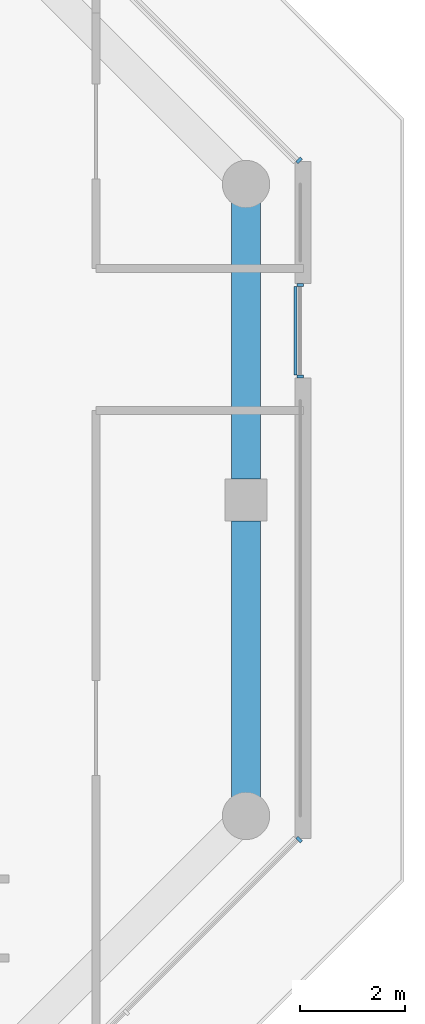
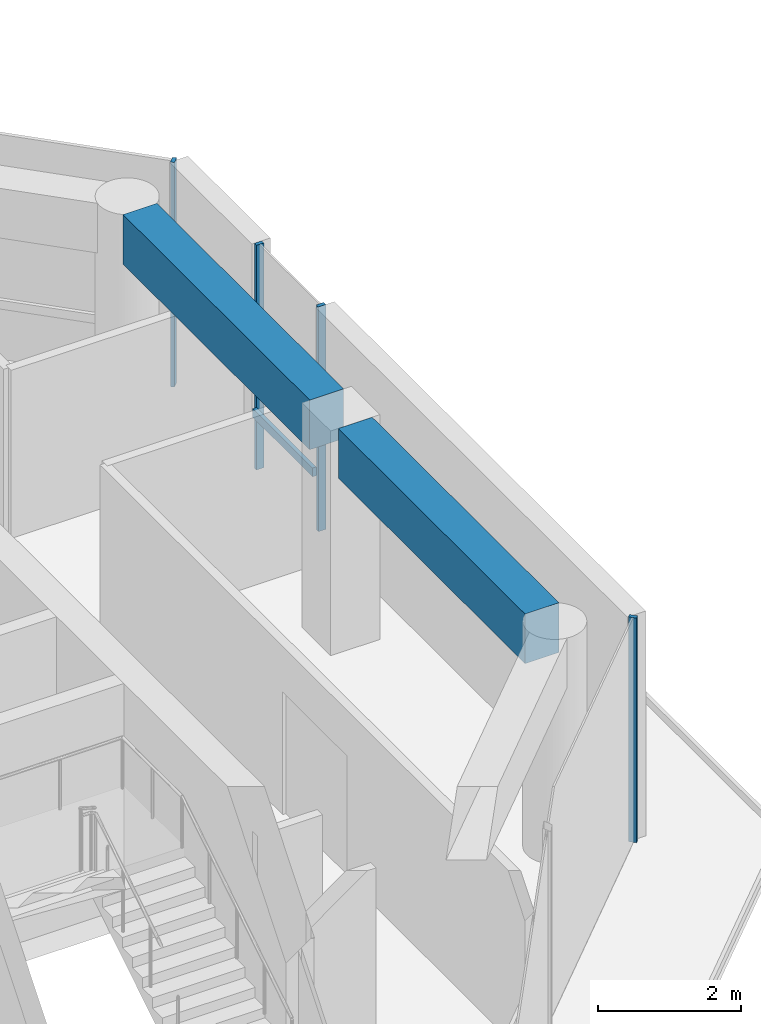
# One storey, part 6 of 23: 5 members, 2 beams, 3 elements without a shape of their own.
"""IFC4 building model written with IfcOpenShell, lengths in metres."""

from ifc_helpers import new_model, si_unit, direction, frame, origin, origin_2d, place, context, subcontext, project, spatial, rectangle, extrude, material, layer, layer_set, material_profile, profile_set, type_object, element, aggregate, save


model = new_model("IFC4")

# Units and contexts
model_context = context("Model", 3, precision=1e-05, world=origin(), true_north=direction((0.0, 1.0)))
body_context = subcontext(model_context, "Body", "Model", "MODEL_VIEW")
ifc_project = project(units=[si_unit("LENGTHUNIT", "METRE"), si_unit("AREAUNIT", "SQUARE_METRE"), si_unit("VOLUMEUNIT", "CUBIC_METRE"), si_unit("PLANEANGLEUNIT", "RADIAN"), si_unit("MASSUNIT", "GRAM", prefix="KILO")], contexts=[model_context])

# Site, building, storey
site_placement = place(None, origin())
site = spatial("IfcSite", under=ifc_project, at=site_placement, CompositionType="ELEMENT")
building_placement = place(site_placement, origin())
building = spatial("IfcBuilding", under=site, at=building_placement, Name="Welwitschia Terrace Campus", CompositionType="ELEMENT")
storey_placement = place(building_placement, frame((0.0, 0.0, 247.39990234375)))
storey = spatial("IfcBuildingStorey", under=building, at=storey_placement, Name="L55", CompositionType="ELEMENT", Elevation=247.39990234375)

# Curtain wall, member
ifc_material_1 = material(Name="Bronze anodised aluminium", Category="aluminium")
ifc_layer = layer(ifc_material_1, 0.1201171875)
ifc_layer_set = layer_set([ifc_layer], Name="Bronze anodised aluminium")
curtain_wall_type = type_object("IfcCurtainWallType", Name="Curtain wall CW2 tower 6000", PredefinedType="NOTDEFINED", material=ifc_layer_set)
curtain_wall_1_placement = place(storey_placement, origin())
curtain_wall_1 = element("IfcCurtainWall", 1, at=curtain_wall_1_placement, inside=storey, type_object=curtain_wall_type, Name="CW L55.4.0", PredefinedType="NOTDEFINED")
ifc_material_2 = material(Name="Bronze anodised aluminium", Category="aluminium")
ifc_material_profile_1 = material_profile(ifc_material_2, rectangle(XDim=0.1201171875, YDim=0.06005859375, at=origin_2d()))
ifc_profile_set_1 = profile_set([ifc_material_profile_1], Name="Bronze anodised aluminium")
member_type_1 = type_object("IfcMemberType", Name="Mullion 60x120", PredefinedType="MULLION", material=ifc_profile_set_1)
member_1_placement = place(storey_placement, frame((31.0087890625, 9.55224609375, 0.0), z_axis=(0.0, 0.0, 1.0), x_axis=(-0.707106781187, 0.707106781187, 0.0)))
member_1 = element("IfcMember", 2, at=member_1_placement, type_object=member_type_1, Name="Mullion L55.4.0.2", PredefinedType="MULLION", context=body_context, shape_type="SweptSolid", body=[
    extrude(rectangle(XDim=0.1201171875, YDim=0.06005859375, at=origin_2d()), origin(), (0.0, 0.0, 1.0), 3.85009765625),
])
aggregate(curtain_wall_1, [member_1])

# Curtain wall, members
curtain_wall_2_placement = place(storey_placement, origin())
curtain_wall_2 = element("IfcCurtainWall", 3, at=curtain_wall_2_placement, inside=storey, type_object=curtain_wall_type, Name="CW L55.5.S0", PredefinedType="NOTDEFINED")
member_2_placement = place(storey_placement, frame((31.030029296875, 18.34326171875, 0.0), z_axis=(0.0, 0.0, 1.0), x_axis=(-1.0, 0.0, 0.0)))
member_2 = element("IfcMember", 4, at=member_2_placement, type_object=member_type_1, Name="Mullion L55.5.S0.0", PredefinedType="MULLION", context=body_context, shape_type="SweptSolid", body=[
    extrude(rectangle(XDim=0.1201171875, YDim=0.06005859375, at=origin_2d()), origin(), (0.0, 0.0, 1.0), 3.85009765625),
])
member_3_placement = place(storey_placement, frame((31.030029296875, 20.083251953125, 0.0), z_axis=(0.0, 0.0, 1.0), x_axis=(-1.0, 0.0, 0.0)))
member_3 = element("IfcMember", 5, at=member_3_placement, type_object=member_type_1, Name="Mullion L55.5.S0.1", PredefinedType="MULLION", context=body_context, shape_type="SweptSolid", body=[
    extrude(rectangle(XDim=0.1201171875, YDim=0.06005859375, at=origin_2d()), origin(), (0.0, 0.0, 1.0), 3.85009765625),
])

# Curtain wall, member
curtain_wall_3_placement = place(storey_placement, origin())
curtain_wall_3 = element("IfcCurtainWall", 6, at=curtain_wall_3_placement, inside=storey, type_object=curtain_wall_type, Name="CW L55.6.0", PredefinedType="NOTDEFINED")
member_4_placement = place(storey_placement, frame((31.0087890625, 22.44775390625, 0.0), z_axis=(0.0, 0.0, 1.0), x_axis=(-0.707106781187, -0.707106781187, 0.0)))
member_4 = element("IfcMember", 7, at=member_4_placement, type_object=member_type_1, Name="Mullion L55.6.0.0", PredefinedType="MULLION", context=body_context, shape_type="SweptSolid", body=[
    extrude(rectangle(XDim=0.1201171875, YDim=0.06005859375, at=origin_2d()), origin(), (0.0, 0.0, 1.0), 3.85009765625),
])
aggregate(curtain_wall_3, [member_4])

# Beams
ifc_material_3 = material(Name="Concrete C50/60", Category="concrete")
ifc_material_profile_2 = material_profile(ifc_material_3, rectangle(XDim=0.550048828125, YDim=0.85009765625, at=origin_2d()))
ifc_profile_set_2 = profile_set([ifc_material_profile_2], Name="Concrete C50/60")
beam_type = type_object("IfcBeamType", Name="Ring spandrel 550x850", PredefinedType="SPANDREL", material=ifc_profile_set_2)
for number, where, z_axis, x_axis, name in (
    (8, (30.0, 10.35693359375, 3.425048828125), (0.0, 1.0, 0.0), (-1.0, 0.0, 0.0), "Spandrel SP3"),
    (9, (30.0, 16.400390625, 3.425048828125), (0.0, 1.0, 0.0), (-1.0, 0.0, 0.0), "Spandrel SP3"),
):
    element("IfcBeam", number, at=place(storey_placement, frame(where, z_axis=z_axis, x_axis=x_axis)), inside=storey, type_object=beam_type, Name=name, PredefinedType="SPANDREL", context=body_context, shape_type="SweptSolid", body=[
        extrude(rectangle(XDim=0.550048828125, YDim=0.85009765625, at=origin_2d()), origin(), (0.0, 0.0, 1.0), 5.24267578125),
    ])

# Member
ifc_material_4 = material(Name="Bronze anodised aluminium", Category="aluminium")
ifc_material_profile_3 = material_profile(ifc_material_4, rectangle(XDim=0.06005859375, YDim=0.14990234375, at=origin_2d()))
ifc_profile_set_3 = profile_set([ifc_material_profile_3], Name="Bronze anodised aluminium")
member_type_2 = type_object("IfcMemberType", Name="Transom 60x150", PredefinedType="USERDEFINED", material=ifc_profile_set_3)
member_5_placement = place(storey_placement, frame((30.93994140625, 18.373291015625, 1.0), z_axis=(0.0, 1.0, 0.0), x_axis=(-1.0, 0.0, 0.0)))
member_5 = element("IfcMember", 10, at=member_5_placement, type_object=member_type_2, Name="Transom L55.5.S0", ObjectType="TRANSOM", PredefinedType="USERDEFINED", context=body_context, shape_type="SweptSolid", body=[
    extrude(rectangle(XDim=0.06005859375, YDim=0.14990234375, at=origin_2d()), origin(), (0.0, 0.0, 1.0), 1.679931640625),
])

aggregate(curtain_wall_2, [member_2, member_3, member_5])

save(model, "model.ifc")
